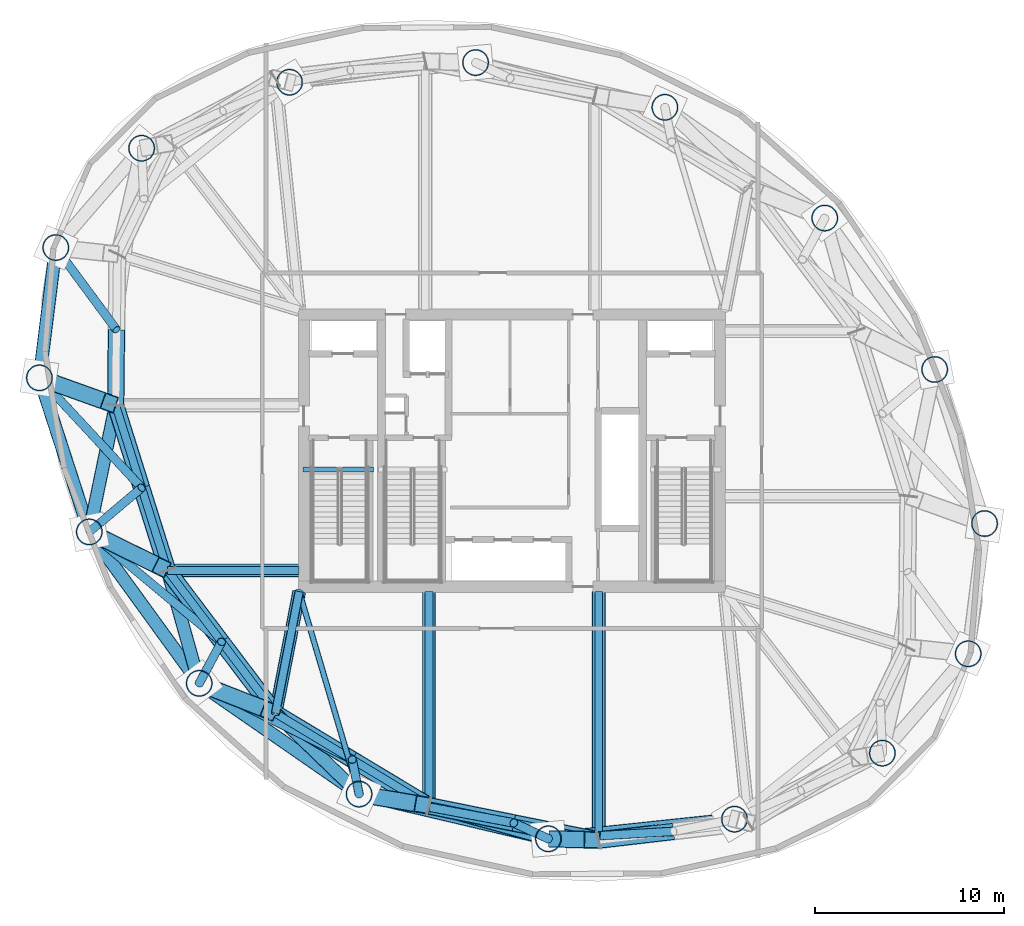
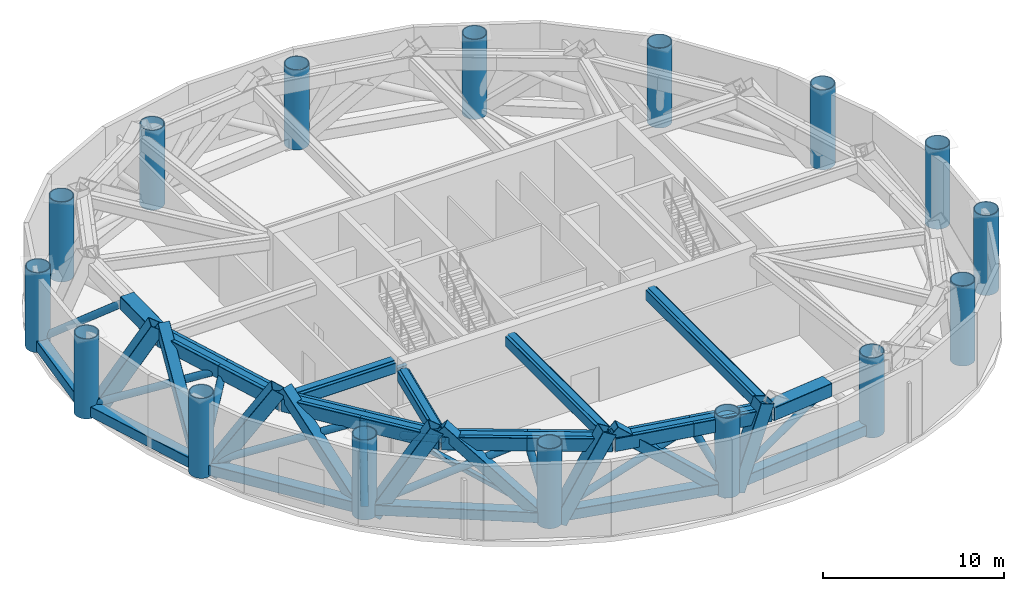
# One storey, part 1 of 10: 41 members, 16 columns, 9 beams.
"""IFC4 building model written with IfcOpenShell, lengths in metres."""

from ifc_helpers import new_model, si_unit, direction, frame, origin, origin_2d, place, context, subcontext, project, spatial, hollow_rectangle, hollow_circle, i_section, extrude, material, material_profile, profile_set, type_object, element, save


model = new_model("IFC4")

# Units and contexts
model_context = context("Model", 3, precision=1e-05, world=origin(), true_north=direction((0.0, 1.0)))
body_context = subcontext(model_context, "Body", "Model", "MODEL_VIEW")
ifc_project = project(units=[si_unit("LENGTHUNIT", "METRE"), si_unit("AREAUNIT", "SQUARE_METRE"), si_unit("VOLUMEUNIT", "CUBIC_METRE"), si_unit("PLANEANGLEUNIT", "RADIAN"), si_unit("MASSUNIT", "GRAM", prefix="KILO")], contexts=[model_context])

# Site, building, storey
site_placement = place(None, origin())
site = spatial("IfcSite", under=ifc_project, at=site_placement, CompositionType="ELEMENT")
building_placement = place(site_placement, origin())
building = spatial("IfcBuilding", under=site, at=building_placement, Name="Bramvorn Convention Spire", CompositionType="ELEMENT")
storey_placement = place(building_placement, frame((0.0, 0.0, 165.800048828125)))
storey = spatial("IfcBuildingStorey", under=building, at=storey_placement, Name="L42", CompositionType="ELEMENT", Elevation=165.800048828125)

# Columns
ifc_material = material(Name="Steel CSA G40.21 Grade 350 (350W)", Category="steel")
ifc_material_profile_1 = material_profile(ifc_material, hollow_circle(Radius=0.699951171875, WallThickness=0.054931640625, at=origin_2d()))
ifc_profile_set_1 = profile_set([ifc_material_profile_1], Name="Steel CSA G40.21 Grade 350 (350W) - CFT1400X55")
column_type = type_object("IfcColumnType", Name="COL-CFT1400X55", PredefinedType="COLUMN", material=ifc_profile_set_1)
for number, where, z_axis, x_axis, name in (
    (1, (62.11767578125, 15.26220703125, 0.0), (0.0, 0.0, 1.0), (1.0, 0.0, 0.0), "L42 composite CFT mega-column MC01"),
    (2, (62.983642578125, 22.148193359375, 0.0), (0.0, 0.0, 1.0), (1.0, 0.0, 0.0), "L42 composite CFT mega-column MC02"),
    (3, (60.345703125, 30.293212890625, 0.0), (0.0, 0.0, 1.0), (1.0, 0.0, 0.0), "L42 composite CFT mega-column MC03"),
    (4, (54.534912109375, 38.299072265625, 0.0), (0.0, 0.0, 1.0), (1.0, 0.0, 0.0), "L42 composite CFT mega-column MC04"),
    (5, (46.082763671875, 44.154052734375, 0.0), (0.0, 0.0, 1.0), (1.0, 0.0, 0.0), "L42 composite CFT mega-column MC05"),
    (6, (36.075927734375, 46.517333984375, 0.0), (0.0, 0.0, 1.0), (1.0, 0.0, 0.0), "L42 composite CFT mega-column MC06"),
    (7, (26.23828125, 45.478759765625, 0.0), (0.0, 0.0, 1.0), (1.0, 0.0, 0.0), "L42 composite CFT mega-column MC07"),
    (8, (18.420166015625, 41.9892578125, 0.0), (0.0, 0.0, 1.0), (1.0, 0.0, 0.0), "L42 composite CFT mega-column MC08"),
    (9, (13.88232421875, 36.73779296875, 0.0), (0.0, 0.0, 1.0), (1.0, 0.0, 0.0), "L42 composite CFT mega-column MC09"),
    (10, (13.016357421875, 29.851806640625, 0.0), (0.0, 0.0, 1.0), (1.0, 0.0, 0.0), "L42 composite CFT mega-column MC10"),
    (11, (15.654296875, 21.706787109375, 0.0), (0.0, 0.0, 1.0), (1.0, 0.0, 0.0), "L42 composite CFT mega-column MC11"),
    (12, (21.465087890625, 13.700927734375, 0.0), (0.0, 0.0, 1.0), (1.0, 0.0, 0.0), "L42 composite CFT mega-column MC12"),
    (13, (29.917236328125, 7.845947265625, 0.0), (0.0, 0.0, 1.0), (1.0, 0.0, 0.0), "L42 composite CFT mega-column MC13"),
    (14, (39.924072265625, 5.482666015625, 0.0), (0.0, 0.0, 1.0), (1.0, 0.0, 0.0), "L42 composite CFT mega-column MC14"),
    (15, (49.76171875, 6.521240234375, 0.0), (0.0, 0.0, 1.0), (1.0, 0.0, 0.0), "L42 composite CFT mega-column MC15"),
    (16, (57.579833984375, 10.0107421875, 0.0), (0.0, 0.0, 1.0), (1.0, 0.0, 0.0), "L42 composite CFT mega-column MC16"),
):
    element("IfcColumn", number, at=place(storey_placement, frame(where, z_axis=z_axis, x_axis=x_axis)), inside=storey, type_object=column_type, Name=name, PredefinedType="COLUMN", context=body_context, shape_type="SweptSolid", body=[
        extrude(hollow_circle(Radius=0.699951171875, WallThickness=0.054931640625, at=origin_2d()), origin(), (0.0, 0.0, 1.0), 5.39990234375),
    ])

# Beams
ifc_material_profile_2 = material_profile(ifc_material, i_section(OverallWidth=0.25390625, OverallDepth=0.2529296875, WebThickness=0.008544921875, FlangeThickness=0.01416015625, FilletRadius=0.011962890625, at=origin_2d()))
ifc_profile_set_2 = profile_set([ifc_material_profile_2], Name="Steel CSA G40.21 Grade 350 (350W) - W250X73")
beam_type_1 = type_object("IfcBeamType", Name="BM-W250X73", PredefinedType="BEAM", material=ifc_profile_set_2)
beam_1_placement = place(storey_placement, frame((26.949951171875, 25.010009765625, -0.12646484375), z_axis=(1.0, 0.0, 0.0), x_axis=(0.0, 1.0, 0.0)))
element("IfcBeam", 17, at=beam_1_placement, inside=storey, type_object=beam_type_1, Name="L42 ST1 stair arrival header beam", PredefinedType="BEAM", context=body_context, shape_type="SweptSolid", body=[
    extrude(i_section(OverallWidth=0.25390625, OverallDepth=0.2529296875, WebThickness=0.008544921875, FlangeThickness=0.01416015625, FilletRadius=0.011962890625, at=origin_2d()), origin(), (0.0, 0.0, 1.0), 3.739990234375),
])
ifc_material_profile_3 = material_profile(ifc_material, i_section(OverallWidth=0.41796875, OverallDepth=0.912109375, WebThickness=0.019287109375, FlangeThickness=0.031982421875, FilletRadius=0.02392578125, at=origin_2d()))
ifc_profile_set_3 = profile_set([ifc_material_profile_3], Name="Steel CSA G40.21 Grade 350 (350W) - W920X342")
beam_type_2 = type_object("IfcBeamType", Name="BM-W920X342", PredefinedType="BEAM", material=ifc_profile_set_3)
beam_2_placement = place(storey_placement, frame((17.04541015625, 28.406494140625, 4.52392578125), z_axis=(0.299747542929, -0.954018558786, 0.0), x_axis=(0.954018558786, 0.299747542929, 0.0)))
element("IfcBeam", 18, at=beam_2_placement, inside=storey, type_object=beam_type_2, Name="L42 step-in transfer ring girder 11", PredefinedType="BEAM", context=body_context, shape_type="SweptSolid", body=[
    extrude(i_section(OverallWidth=0.41796875, OverallDepth=0.912109375, WebThickness=0.019287109375, FlangeThickness=0.031982421875, FilletRadius=0.02392578125, at=origin_2d()), origin(), (0.0, 0.0, 1.0), 9.15478515625),
])
beam_3_placement = place(storey_placement, frame((19.78955078125, 19.672607421875, 4.52392578125), z_axis=(0.602718581414, -0.797953827999, 0.0), x_axis=(0.797953827999, 0.602718581414, 0.0)))
element("IfcBeam", 19, at=beam_3_placement, inside=storey, type_object=beam_type_2, Name="L42 step-in transfer ring girder 12", PredefinedType="BEAM", context=body_context, shape_type="SweptSolid", body=[
    extrude(i_section(OverallWidth=0.41796875, OverallDepth=0.912109375, WebThickness=0.019287109375, FlangeThickness=0.031982421875, FilletRadius=0.02392578125, at=origin_2d()), origin(), (0.0, 0.0, 1.0), 9.47119140625),
])
beam_4_placement = place(storey_placement, frame((26.75, 19.672607421875, 4.52392578125), z_axis=(-1.0, 0.0, 0.0), x_axis=(0.0, -1.0, 0.0)))
element("IfcBeam", 20, at=beam_4_placement, inside=storey, type_object=beam_type_2, Name="L42 step-in radial transfer girder MC12", PredefinedType="BEAM", context=body_context, shape_type="SweptSolid", body=[
    extrude(i_section(OverallWidth=0.41796875, OverallDepth=0.912109375, WebThickness=0.019287109375, FlangeThickness=0.031982421875, FilletRadius=0.02392578125, at=origin_2d()), origin(), (0.0, 0.0, 1.0), 6.96044921875),
])
beam_5_placement = place(storey_placement, frame((25.498046875, 12.114990234375, 4.52392578125), z_axis=(0.856581795745, -0.516011266543, 0.0), x_axis=(0.516011266543, 0.856581795745, 0.0)))
element("IfcBeam", 21, at=beam_5_placement, inside=storey, type_object=beam_type_2, Name="L42 step-in transfer ring girder 13", PredefinedType="BEAM", context=body_context, shape_type="SweptSolid", body=[
    extrude(i_section(OverallWidth=0.41796875, OverallDepth=0.912109375, WebThickness=0.019287109375, FlangeThickness=0.031982421875, FilletRadius=0.02392578125, at=origin_2d()), origin(), (0.0, 0.0, 1.0), 9.47119140625),
])
beam_6_placement = place(storey_placement, frame((26.75, 18.550048828125, 4.52392578125), z_axis=(-0.190971329886, -0.981595614885, 0.0), x_axis=(0.981595614885, -0.190971329886, 0.0)))
element("IfcBeam", 22, at=beam_6_placement, inside=storey, type_object=beam_type_2, Name="L42 step-in radial transfer girder MC13", PredefinedType="BEAM", context=body_context, shape_type="SweptSolid", body=[
    extrude(i_section(OverallWidth=0.41796875, OverallDepth=0.912109375, WebThickness=0.019287109375, FlangeThickness=0.031982421875, FilletRadius=0.02392578125, at=origin_2d()), origin(), (0.0, 0.0, 1.0), 6.5556640625),
])
beam_7_placement = place(storey_placement, frame((33.61083984375, 7.227783203125, 4.52392578125), z_axis=(0.980124701676, -0.198382381187, 0.0), x_axis=(0.198382381187, 0.980124701676, 0.0)))
element("IfcBeam", 23, at=beam_7_placement, inside=storey, type_object=beam_type_2, Name="L42 step-in transfer ring girder 14", PredefinedType="BEAM", context=body_context, shape_type="SweptSolid", body=[
    extrude(i_section(OverallWidth=0.41796875, OverallDepth=0.912109375, WebThickness=0.019287109375, FlangeThickness=0.031982421875, FilletRadius=0.02392578125, at=origin_2d()), origin(), (0.0, 0.0, 1.0), 9.15478515625),
])
beam_8_placement = place(storey_placement, frame((33.61083984375, 18.550048828125, 4.52392578125), z_axis=(0.0, -1.0, 0.0), x_axis=(1.0, 0.0, 0.0)))
element("IfcBeam", 24, at=beam_8_placement, inside=storey, type_object=beam_type_2, Name="L42 step-in radial transfer girder MC14", PredefinedType="BEAM", context=body_context, shape_type="SweptSolid", body=[
    extrude(i_section(OverallWidth=0.41796875, OverallDepth=0.912109375, WebThickness=0.019287109375, FlangeThickness=0.031982421875, FilletRadius=0.02392578125, at=origin_2d()), origin(), (0.0, 0.0, 1.0), 11.322265625),
])
beam_9_placement = place(storey_placement, frame((42.583740234375, 18.550048828125, 4.52392578125), z_axis=(0.0, -1.0, 0.0), x_axis=(1.0, 0.0, 0.0)))
element("IfcBeam", 25, at=beam_9_placement, inside=storey, type_object=beam_type_2, Name="L42 step-in radial transfer girder MC15", PredefinedType="BEAM", context=body_context, shape_type="SweptSolid", body=[
    extrude(i_section(OverallWidth=0.41796875, OverallDepth=0.912109375, WebThickness=0.019287109375, FlangeThickness=0.031982421875, FilletRadius=0.02392578125, at=origin_2d()), origin(), (0.0, 0.0, 1.0), 13.138427734375),
])

# Members
ifc_material_profile_4 = material_profile(ifc_material, hollow_rectangle(XDim=0.699951171875, YDim=0.699951171875, WallThickness=0.034912109375, InnerFilletRadius=0.0009765625, OuterFilletRadius=0.034912109375, at=origin_2d()))
ifc_profile_set_4 = profile_set([ifc_material_profile_4], Name="Steel CSA G40.21 Grade 350 (350W) - BOX700X700X35")
member_type_1 = type_object("IfcMemberType", Name="MBR-BOX700X700X35", PredefinedType="CHORD", material=ifc_profile_set_4)
member_1_placement = place(storey_placement, frame((13.88232421875, 36.73779296875, 0.449951171875), z_axis=(-0.124775053879, -0.992185056292, 0.0), x_axis=(0.992185056292, -0.124775053879, 0.0)))
element("IfcMember", 26, at=member_1_placement, inside=storey, type_object=member_type_1, Name="L42 belt truss bottom chord 9", PredefinedType="CHORD", context=body_context, shape_type="SweptSolid", body=[
    extrude(hollow_rectangle(XDim=0.699951171875, YDim=0.699951171875, WallThickness=0.034912109375, InnerFilletRadius=0.0009765625, OuterFilletRadius=0.034912109375, at=origin_2d()), origin(), (0.0, 0.0, 1.0), 6.940185546875),
])
member_2_placement = place(storey_placement, frame((13.016357421875, 29.851806640625, 0.449951171875), z_axis=(0.308114853612, -0.951349166701, 0.0), x_axis=(0.951349166701, 0.308114853612, 0.0)))
element("IfcMember", 27, at=member_2_placement, inside=storey, type_object=member_type_1, Name="L42 belt truss bottom chord 10", PredefinedType="CHORD", context=body_context, shape_type="SweptSolid", body=[
    extrude(hollow_rectangle(XDim=0.699951171875, YDim=0.699951171875, WallThickness=0.034912109375, InnerFilletRadius=0.0009765625, OuterFilletRadius=0.034912109375, at=origin_2d()), origin(), (0.0, 0.0, 1.0), 8.5615234375),
])
member_3_placement = place(storey_placement, frame((15.654296875, 21.706787109375, 0.449951171875), z_axis=(0.587401024629, -0.809296012757, 0.0), x_axis=(0.809296012757, 0.587401024629, 0.0)))
element("IfcMember", 28, at=member_3_placement, inside=storey, type_object=member_type_1, Name="L42 belt truss bottom chord 11", PredefinedType="CHORD", context=body_context, shape_type="SweptSolid", body=[
    extrude(hollow_rectangle(XDim=0.699951171875, YDim=0.699951171875, WallThickness=0.034912109375, InnerFilletRadius=0.0009765625, OuterFilletRadius=0.034912109375, at=origin_2d()), origin(), (0.0, 0.0, 1.0), 9.892333984375),
])
member_4_placement = place(storey_placement, frame((15.654296875, 21.706787109375, 0.0), z_axis=(0.159592410944, 0.768609150779, 0.619491917387), x_axis=(-0.979116152328, 0.203301648421, 0.0)))
element("IfcMember", 29, at=member_4_placement, inside=storey, type_object=member_type_1, Name="L42 step-in secondary transfer strut MC11", PredefinedType="CHORD", context=body_context, shape_type="SweptSolid", body=[
    extrude(hollow_rectangle(XDim=0.699951171875, YDim=0.699951171875, WallThickness=0.034912109375, InnerFilletRadius=0.0009765625, OuterFilletRadius=0.034912109375, at=origin_2d()), origin(), (0.0, 0.0, 1.0), 8.716552734375),
])
member_5_placement = place(storey_placement, frame((21.465087890625, 13.700927734375, 0.449951171875), z_axis=(0.822033166673, -0.569439613032, 0.0), x_axis=(0.569439613032, 0.822033166673, 0.0)))
element("IfcMember", 30, at=member_5_placement, inside=storey, type_object=member_type_1, Name="L42 belt truss bottom chord 12", PredefinedType="CHORD", context=body_context, shape_type="SweptSolid", body=[
    extrude(hollow_rectangle(XDim=0.699951171875, YDim=0.699951171875, WallThickness=0.034912109375, InnerFilletRadius=0.0009765625, OuterFilletRadius=0.034912109375, at=origin_2d()), origin(), (0.0, 0.0, 1.0), 10.281982421875),
])
member_6_placement = place(storey_placement, frame((21.465087890625, 13.700927734375, 0.0), z_axis=(-0.203747803707, 0.726165128759, 0.656636153634), x_axis=(-0.962818751094, -0.270148204773, 0.0)))
element("IfcMember", 31, at=member_6_placement, inside=storey, type_object=member_type_1, Name="L42 step-in secondary transfer strut MC12", PredefinedType="CHORD", context=body_context, shape_type="SweptSolid", body=[
    extrude(hollow_rectangle(XDim=0.699951171875, YDim=0.699951171875, WallThickness=0.034912109375, InnerFilletRadius=0.0009765625, OuterFilletRadius=0.034912109375, at=origin_2d()), origin(), (0.0, 0.0, 1.0), 8.2236328125),
])
member_7_placement = place(storey_placement, frame((26.75, 19.672607421875, 4.530029296875), z_axis=(-1.0, 0.0, 0.0), x_axis=(0.0, -1.0, 0.0)))
element("IfcMember", 32, at=member_7_placement, inside=storey, type_object=member_type_1, Name="L42 outrigger top tie MC12", PredefinedType="CHORD", context=body_context, shape_type="SweptSolid", body=[
    extrude(hollow_rectangle(XDim=0.699951171875, YDim=0.699951171875, WallThickness=0.034912109375, InnerFilletRadius=0.0009765625, OuterFilletRadius=0.034912109375, at=origin_2d()), origin(), (0.0, 0.0, 1.0), 6.96044921875),
])
member_8_placement = place(storey_placement, frame((29.917236328125, 7.845947265625, 0.449951171875), z_axis=(0.97322750491, -0.229843911572, 0.0), x_axis=(0.229843911572, 0.97322750491, 0.0)))
element("IfcMember", 33, at=member_8_placement, inside=storey, type_object=member_type_1, Name="L42 belt truss bottom chord 13", PredefinedType="CHORD", context=body_context, shape_type="SweptSolid", body=[
    extrude(hollow_rectangle(XDim=0.699951171875, YDim=0.699951171875, WallThickness=0.034912109375, InnerFilletRadius=0.0009765625, OuterFilletRadius=0.034912109375, at=origin_2d()), origin(), (0.0, 0.0, 1.0), 10.2822265625),
])
member_9_placement = place(storey_placement, frame((29.917236328125, 7.845947265625, 0.0), z_axis=(-0.540241156195, 0.521885910018, 0.66013225196), x_axis=(-0.694783108655, -0.719219321158, 0.0)))
element("IfcMember", 34, at=member_9_placement, inside=storey, type_object=member_type_1, Name="L42 step-in secondary transfer strut MC13", PredefinedType="CHORD", context=body_context, shape_type="SweptSolid", body=[
    extrude(hollow_rectangle(XDim=0.699951171875, YDim=0.699951171875, WallThickness=0.034912109375, InnerFilletRadius=0.0009765625, OuterFilletRadius=0.034912109375, at=origin_2d()), origin(), (0.0, 0.0, 1.0), 8.179931640625),
])
member_10_placement = place(storey_placement, frame((26.75, 18.550048828125, 4.530029296875), z_axis=(-0.190971329886, -0.981595614885, 0.0), x_axis=(0.981595614885, -0.190971329886, 0.0)))
element("IfcMember", 35, at=member_10_placement, inside=storey, type_object=member_type_1, Name="L42 outrigger top tie MC13", PredefinedType="CHORD", context=body_context, shape_type="SweptSolid", body=[
    extrude(hollow_rectangle(XDim=0.699951171875, YDim=0.699951171875, WallThickness=0.034912109375, InnerFilletRadius=0.0009765625, OuterFilletRadius=0.034912109375, at=origin_2d()), origin(), (0.0, 0.0, 1.0), 6.5556640625),
])
member_11_placement = place(storey_placement, frame((39.924072265625, 5.482666015625, 0.449951171875), z_axis=(0.994473491975, 0.104987969596, 0.0), x_axis=(-0.104987969596, 0.994473491975, 0.0)))
element("IfcMember", 36, at=member_11_placement, inside=storey, type_object=member_type_1, Name="L42 belt truss bottom chord 14", PredefinedType="CHORD", context=body_context, shape_type="SweptSolid", body=[
    extrude(hollow_rectangle(XDim=0.699951171875, YDim=0.699951171875, WallThickness=0.034912109375, InnerFilletRadius=0.0009765625, OuterFilletRadius=0.034912109375, at=origin_2d()), origin(), (0.0, 0.0, 1.0), 9.892333984375),
])
member_12_placement = place(storey_placement, frame((39.924072265625, 5.482666015625, 0.0), z_axis=(-0.743705140438, 0.205576563048, 0.636113936974), x_axis=(-0.266430609193, -0.963854102282, 0.0)))
element("IfcMember", 37, at=member_12_placement, inside=storey, type_object=member_type_1, Name="L42 step-in secondary transfer strut MC14", PredefinedType="CHORD", context=body_context, shape_type="SweptSolid", body=[
    extrude(hollow_rectangle(XDim=0.699951171875, YDim=0.699951171875, WallThickness=0.034912109375, InnerFilletRadius=0.0009765625, OuterFilletRadius=0.034912109375, at=origin_2d()), origin(), (0.0, 0.0, 1.0), 8.489013671875),
])
member_13_placement = place(storey_placement, frame((33.61083984375, 18.550048828125, 4.530029296875), z_axis=(0.0, -1.0, 0.0), x_axis=(1.0, 0.0, 0.0)))
element("IfcMember", 38, at=member_13_placement, inside=storey, type_object=member_type_1, Name="L42 outrigger top tie MC14", PredefinedType="CHORD", context=body_context, shape_type="SweptSolid", body=[
    extrude(hollow_rectangle(XDim=0.699951171875, YDim=0.699951171875, WallThickness=0.034912109375, InnerFilletRadius=0.0009765625, OuterFilletRadius=0.034912109375, at=origin_2d()), origin(), (0.0, 0.0, 1.0), 11.322265625),
])
member_14_placement = place(storey_placement, frame((42.583740234375, 18.550048828125, 4.530029296875), z_axis=(0.0, -1.0, 0.0), x_axis=(1.0, 0.0, 0.0)))
element("IfcMember", 39, at=member_14_placement, inside=storey, type_object=member_type_1, Name="L42 outrigger top tie MC15", PredefinedType="CHORD", context=body_context, shape_type="SweptSolid", body=[
    extrude(hollow_rectangle(XDim=0.699951171875, YDim=0.699951171875, WallThickness=0.034912109375, InnerFilletRadius=0.0009765625, OuterFilletRadius=0.034912109375, at=origin_2d()), origin(), (0.0, 0.0, 1.0), 13.138427734375),
])
ifc_material_profile_5 = material_profile(ifc_material, hollow_rectangle(XDim=0.89990234375, YDim=0.89990234375, WallThickness=0.044921875, InnerFilletRadius=0.0009765625, OuterFilletRadius=0.044921875, at=origin_2d()))
ifc_profile_set_5 = profile_set([ifc_material_profile_5], Name="Steel CSA G40.21 Grade 350 (350W) - BOX900X900X45")
member_type_2 = type_object("IfcMemberType", Name="MBR-BOX900X900X45", PredefinedType="CHORD", material=ifc_profile_set_5)
member_15_placement = place(storey_placement, frame((17.091064453125, 32.3935546875, 4.530029296875), z_axis=(-0.011449864785, -0.99993444815, 0.0), x_axis=(0.99993444815, -0.011449864785, 0.0)))
element("IfcMember", 40, at=member_15_placement, inside=storey, type_object=member_type_2, Name="L42 belt truss top chord 10B", PredefinedType="CHORD", context=body_context, shape_type="SweptSolid", body=[
    extrude(hollow_rectangle(XDim=0.89990234375, YDim=0.89990234375, WallThickness=0.044921875, InnerFilletRadius=0.0009765625, OuterFilletRadius=0.044921875, at=origin_2d()), origin(), (0.0, 0.0, 1.0), 3.9873046875),
])
for number, where, z_axis, x_axis, name in (
    (41, (17.04541015625, 28.406494140625, 4.530029296875), (0.299747542929, -0.954018558786, 0.0), (0.954018558786, 0.299747542929, 0.0), "L42 belt truss top chord 11A"),
    (42, (18.41748046875, 24.03955078125, 4.530029296875), (0.299747542929, -0.954018558786, 0.0), (0.954018558786, 0.299747542929, 0.0), "L42 belt truss top chord 11B"),
):
    element("IfcMember", number, at=place(storey_placement, frame(where, z_axis=z_axis, x_axis=x_axis)), inside=storey, type_object=member_type_2, Name=name, PredefinedType="CHORD", context=body_context, shape_type="SweptSolid", body=[
        extrude(hollow_rectangle(XDim=0.89990234375, YDim=0.89990234375, WallThickness=0.044921875, InnerFilletRadius=0.0009765625, OuterFilletRadius=0.044921875, at=origin_2d()), origin(), (0.0, 0.0, 1.0), 4.577392578125),
    ])
member_16_placement = place(storey_placement, frame((13.43994140625, 29.69970703125, 0.0), z_axis=(0.509926997723, -0.182871419962, 0.840554876706), x_axis=(0.337571545057, 0.941299873562, 0.0)))
element("IfcMember", 43, at=member_16_placement, inside=storey, type_object=member_type_2, Name="L42 step-in mega-column transfer strut MC11", PredefinedType="CHORD", context=body_context, shape_type="SweptSolid", body=[
    extrude(hollow_rectangle(XDim=0.89990234375, YDim=0.89990234375, WallThickness=0.044921875, InnerFilletRadius=0.0009765625, OuterFilletRadius=0.044921875, at=origin_2d()), origin(), (0.0, 0.0, 1.0), 6.42431640625),
])
for number, where, z_axis, x_axis, name in (
    (44, (19.78955078125, 19.672607421875, 4.530029296875), (0.602718581414, -0.797953827999, 0.0), (0.797953827999, 0.602718581414, 0.0), "L42 belt truss top chord 12A"),
    (45, (22.643798828125, 15.893798828125, 4.530029296875), (0.602718581414, -0.797953827999, 0.0), (0.797953827999, 0.602718581414, 0.0), "L42 belt truss top chord 12B"),
):
    element("IfcMember", number, at=place(storey_placement, frame(where, z_axis=z_axis, x_axis=x_axis)), inside=storey, type_object=member_type_2, Name=name, PredefinedType="CHORD", context=body_context, shape_type="SweptSolid", body=[
        extrude(hollow_rectangle(XDim=0.89990234375, YDim=0.89990234375, WallThickness=0.044921875, InnerFilletRadius=0.0009765625, OuterFilletRadius=0.044921875, at=origin_2d()), origin(), (0.0, 0.0, 1.0), 4.735595703125),
    ])
member_17_placement = place(storey_placement, frame((16.05810546875, 21.50830078125, 0.0), z_axis=(0.517180731598, -0.254415382039, 0.817188414165), x_axis=(0.441409349505, 0.897305848732, 0.0)))
element("IfcMember", 46, at=member_17_placement, inside=storey, type_object=member_type_2, Name="L42 step-in mega-column transfer strut MC12", PredefinedType="CHORD", context=body_context, shape_type="SweptSolid", body=[
    extrude(hollow_rectangle(XDim=0.89990234375, YDim=0.89990234375, WallThickness=0.044921875, InnerFilletRadius=0.0009765625, OuterFilletRadius=0.044921875, at=origin_2d()), origin(), (0.0, 0.0, 1.0), 6.60791015625),
])
for number, where, z_axis, x_axis, name in (
    (47, (25.498046875, 12.114990234375, 4.530029296875), (0.856581795745, -0.516011266543, 0.0), (0.516011266543, 0.856581795745, 0.0), "L42 belt truss top chord 13A"),
    (48, (29.554443359375, 9.67138671875, 4.530029296875), (0.856581795745, -0.516011266543, 0.0), (0.516011266543, 0.856581795745, 0.0), "L42 belt truss top chord 13B"),
):
    element("IfcMember", number, at=place(storey_placement, frame(where, z_axis=z_axis, x_axis=x_axis)), inside=storey, type_object=member_type_2, Name=name, PredefinedType="CHORD", context=body_context, shape_type="SweptSolid", body=[
        extrude(hollow_rectangle(XDim=0.89990234375, YDim=0.89990234375, WallThickness=0.044921875, InnerFilletRadius=0.0009765625, OuterFilletRadius=0.044921875, at=origin_2d()), origin(), (0.0, 0.0, 1.0), 4.735595703125),
    ])
member_18_placement = place(storey_placement, frame((21.884033203125, 13.536376953125, 0.0), z_axis=(0.509561713694, -0.200397089423, 0.836772290703), x_axis=(0.365987967187, 0.930619582791, 0.0)))
element("IfcMember", 49, at=member_18_placement, inside=storey, type_object=member_type_2, Name="L42 step-in mega-column transfer strut MC13", PredefinedType="CHORD", context=body_context, shape_type="SweptSolid", body=[
    extrude(hollow_rectangle(XDim=0.89990234375, YDim=0.89990234375, WallThickness=0.044921875, InnerFilletRadius=0.0009765625, OuterFilletRadius=0.044921875, at=origin_2d()), origin(), (0.0, 0.0, 1.0), 6.453369140625),
])
member_19_placement = place(storey_placement, frame((33.61083984375, 7.227783203125, 4.530029296875), z_axis=(0.98013093588, -0.198351578089, 0.0), x_axis=(0.198351578089, 0.98013093588, 0.0)))
element("IfcMember", 50, at=member_19_placement, inside=storey, type_object=member_type_2, Name="L42 belt truss top chord 14A", PredefinedType="CHORD", context=body_context, shape_type="SweptSolid", body=[
    extrude(hollow_rectangle(XDim=0.89990234375, YDim=0.89990234375, WallThickness=0.044921875, InnerFilletRadius=0.0009765625, OuterFilletRadius=0.044921875, at=origin_2d()), origin(), (0.0, 0.0, 1.0), 4.57763671875),
])
member_20_placement = place(storey_placement, frame((38.097412109375, 6.31982421875, 4.530029296875), z_axis=(0.980118466243, -0.198413185373, 0.0), x_axis=(0.198413185373, 0.980118466243, 0.0)))
element("IfcMember", 51, at=member_20_placement, inside=storey, type_object=member_type_2, Name="L42 belt truss top chord 14B", PredefinedType="CHORD", context=body_context, shape_type="SweptSolid", body=[
    extrude(hollow_rectangle(XDim=0.89990234375, YDim=0.89990234375, WallThickness=0.044921875, InnerFilletRadius=0.0009765625, OuterFilletRadius=0.044921875, at=origin_2d()), origin(), (0.0, 0.0, 1.0), 4.577392578125),
])
member_21_placement = place(storey_placement, frame((30.361083984375, 7.771728515625, 0.0), z_axis=(0.472226402777, -0.079028559127, 0.877927509173), x_axis=(0.165057684669, 0.98628391487, 0.0)))
element("IfcMember", 52, at=member_21_placement, inside=storey, type_object=member_type_2, Name="L42 step-in mega-column transfer strut MC14", PredefinedType="CHORD", context=body_context, shape_type="SweptSolid", body=[
    extrude(hollow_rectangle(XDim=0.89990234375, YDim=0.89990234375, WallThickness=0.044921875, InnerFilletRadius=0.0009765625, OuterFilletRadius=0.044921875, at=origin_2d()), origin(), (0.0, 0.0, 1.0), 6.150634765625),
])
member_22_placement = place(storey_placement, frame((42.583740234375, 5.41162109375, 4.530029296875), z_axis=(0.993253033993, 0.115967281863, 0.0), x_axis=(-0.115967281863, 0.993253033993, 0.0)))
element("IfcMember", 53, at=member_22_placement, inside=storey, type_object=member_type_2, Name="L42 belt truss top chord 15A", PredefinedType="CHORD", context=body_context, shape_type="SweptSolid", body=[
    extrude(hollow_rectangle(XDim=0.89990234375, YDim=0.89990234375, WallThickness=0.044921875, InnerFilletRadius=0.0009765625, OuterFilletRadius=0.044921875, at=origin_2d()), origin(), (0.0, 0.0, 1.0), 3.9873046875),
])
member_23_placement = place(storey_placement, frame((40.373779296875, 5.470703125, 0.0), z_axis=(0.32567660223, -0.008720045525, 0.945441014324), x_axis=(0.026765574815, 0.999641737827, 0.0)))
element("IfcMember", 54, at=member_23_placement, inside=storey, type_object=member_type_2, Name="L42 step-in mega-column transfer strut MC15", PredefinedType="CHORD", context=body_context, shape_type="SweptSolid", body=[
    extrude(hollow_rectangle(XDim=0.89990234375, YDim=0.89990234375, WallThickness=0.044921875, InnerFilletRadius=0.0009765625, OuterFilletRadius=0.044921875, at=origin_2d()), origin(), (0.0, 0.0, 1.0), 5.71142578125),
])
ifc_material_profile_6 = material_profile(ifc_material, hollow_circle(Radius=0.228515625, WallThickness=0.01904296875, at=origin_2d()))
ifc_profile_set_6 = profile_set([ifc_material_profile_6], Name="Steel CSA G40.21 Grade 350 (350W) - CHS457X19")
member_type_3 = type_object("IfcMemberType", Name="MBR-CHS457X19", PredefinedType="BRACE", material=ifc_profile_set_6)
member_24_placement = place(storey_placement, frame((13.88232421875, 36.73779296875, 0.449951171875), z_axis=(0.474054796813, -0.641811690976, 0.602785038754), x_axis=(0.804372445147, 0.594125381959, 0.0)))
element("IfcMember", 55, at=member_24_placement, inside=storey, type_object=member_type_3, Name="L42 ring belt diagonal 10A", PredefinedType="BRACE", context=body_context, shape_type="SweptSolid", body=[
    extrude(hollow_circle(Radius=0.228515625, WallThickness=0.01904296875, at=origin_2d()), origin(), (0.0, 0.0, 1.0), 6.768798828125),
])
member_25_placement = place(storey_placement, frame((13.016357421875, 29.851806640625, 0.449951171875), z_axis=(0.605373609027, -0.651454572621, 0.457307044888), x_axis=(0.73254028428, 0.680723682493, 0.0)))
element("IfcMember", 56, at=member_25_placement, inside=storey, type_object=member_type_3, Name="L42 ring belt diagonal 11A", PredefinedType="BRACE", context=body_context, shape_type="SweptSolid", body=[
    extrude(hollow_circle(Radius=0.228515625, WallThickness=0.01904296875, at=origin_2d()), origin(), (0.0, 0.0, 1.0), 8.921875),
])
member_26_placement = place(storey_placement, frame((15.654296875, 21.706787109375, 0.449951171875), z_axis=(0.506822703337, 0.42787514847, 0.748367292647), x_axis=(-0.645085352841, 0.764110520508, 0.0)))
element("IfcMember", 57, at=member_26_placement, inside=storey, type_object=member_type_3, Name="L42 ring belt diagonal 11B", PredefinedType="BRACE", context=body_context, shape_type="SweptSolid", body=[
    extrude(hollow_circle(Radius=0.228515625, WallThickness=0.01904296875, at=origin_2d()), origin(), (0.0, 0.0, 1.0), 5.451904296875),
])
member_27_placement = place(storey_placement, frame((15.654296875, 21.706787109375, 0.449951171875), z_axis=(0.701441200063, -0.583370532449, 0.40946192097), x_axis=(0.639431255636, 0.768848274574, 0.0)))
element("IfcMember", 58, at=member_27_placement, inside=storey, type_object=member_type_3, Name="L42 ring belt diagonal 12A", PredefinedType="BRACE", context=body_context, shape_type="SweptSolid", body=[
    extrude(hollow_circle(Radius=0.228515625, WallThickness=0.01904296875, at=origin_2d()), origin(), (0.0, 0.0, 1.0), 9.964599609375),
])
member_28_placement = place(storey_placement, frame((21.465087890625, 13.700927734375, 0.449951171875), z_axis=(0.246610160592, 0.458792970678, 0.853634839231), x_axis=(-0.880817240295, 0.473456427983, 0.0)))
element("IfcMember", 59, at=member_28_placement, inside=storey, type_object=member_type_3, Name="L42 ring belt diagonal 12B", PredefinedType="BRACE", context=body_context, shape_type="SweptSolid", body=[
    extrude(hollow_circle(Radius=0.228515625, WallThickness=0.01904296875, at=origin_2d()), origin(), (0.0, 0.0, 1.0), 4.779541015625),
])
member_29_placement = place(storey_placement, frame((21.465087890625, 13.700927734375, 0.449951171875), z_axis=(0.815809514839, -0.406378223046, 0.411474878131), x_axis=(0.445873177917, 0.895096145235, 0.0)))
element("IfcMember", 60, at=member_29_placement, inside=storey, type_object=member_type_3, Name="L42 ring belt diagonal 13A", PredefinedType="BRACE", context=body_context, shape_type="SweptSolid", body=[
    extrude(hollow_circle(Radius=0.228515625, WallThickness=0.01904296875, at=origin_2d()), origin(), (0.0, 0.0, 1.0), 9.915771484375),
])
member_30_placement = place(storey_placement, frame((29.917236328125, 7.845947265625, 0.449951171875), z_axis=(-0.080899020883, 0.407053821763, 0.909814560561), x_axis=(-0.980817088156, -0.194930345459, 0.0)))
element("IfcMember", 61, at=member_30_placement, inside=storey, type_object=member_type_3, Name="L42 ring belt diagonal 13B", PredefinedType="BRACE", context=body_context, shape_type="SweptSolid", body=[
    extrude(hollow_circle(Radius=0.228515625, WallThickness=0.01904296875, at=origin_2d()), origin(), (0.0, 0.0, 1.0), 4.484619140625),
])
member_31_placement = place(storey_placement, frame((26.75, 18.550048828125, 0.449951171875), z_axis=(-0.162134727458, -0.833375028535, 0.528392270919), x_axis=(0.981595614885, -0.190971329886, 0.0)))
element("IfcMember", 62, at=member_31_placement, inside=storey, type_object=member_type_3, Name="L42 outrigger web diagonal MC13", PredefinedType="BRACE", context=body_context, shape_type="SweptSolid", body=[
    extrude(hollow_circle(Radius=0.228515625, WallThickness=0.01904296875, at=origin_2d()), origin(), (0.0, 0.0, 1.0), 7.7216796875),
])
member_32_placement = place(storey_placement, frame((29.917236328125, 7.845947265625, 0.449951171875), z_axis=(0.882648696492, -0.164670118838, 0.440244285077), x_axis=(0.183399205726, 0.983038519764, 0.0)))
element("IfcMember", 63, at=member_32_placement, inside=storey, type_object=member_type_3, Name="L42 ring belt diagonal 14A", PredefinedType="BRACE", context=body_context, shape_type="SweptSolid", body=[
    extrude(hollow_circle(Radius=0.228515625, WallThickness=0.01904296875, at=origin_2d()), origin(), (0.0, 0.0, 1.0), 9.267822265625),
])
member_33_placement = place(storey_placement, frame((39.924072265625, 5.482666015625, 0.449951171875), z_axis=(-0.401637843086, 0.184070591278, 0.897109280092), x_axis=(-0.416629608101, -0.909076327738, 0.0)))
element("IfcMember", 64, at=member_33_placement, inside=storey, type_object=member_type_3, Name="L42 ring belt diagonal 14B", PredefinedType="BRACE", context=body_context, shape_type="SweptSolid", body=[
    extrude(hollow_circle(Radius=0.228515625, WallThickness=0.01904296875, at=origin_2d()), origin(), (0.0, 0.0, 1.0), 4.548095703125),
])
member_34_placement = place(storey_placement, frame((39.924072265625, 5.482666015625, 0.449951171875), z_axis=(0.850228548642, 0.050262441491, 0.52400868509), x_axis=(-0.059013360389, 0.99825719296, 0.0)))
element("IfcMember", 65, at=member_34_placement, inside=storey, type_object=member_type_3, Name="L42 ring belt diagonal 15A", PredefinedType="BRACE", context=body_context, shape_type="SweptSolid", body=[
    extrude(hollow_circle(Radius=0.228515625, WallThickness=0.01904296875, at=origin_2d()), origin(), (0.0, 0.0, 1.0), 7.786376953125),
])
ifc_material_profile_7 = material_profile(ifc_material, hollow_rectangle(XDim=0.3046875, YDim=0.3046875, WallThickness=0.015869140625, InnerFilletRadius=0.015869140625, OuterFilletRadius=0.03173828125, at=origin_2d()))
ifc_profile_set_7 = profile_set([ifc_material_profile_7], Name="Steel CSA G40.21 Grade 350 (350W) - HSS305X305X16")
member_type_4 = type_object("IfcMemberType", Name="MBR-HSS305X305X16", PredefinedType="POST", material=ifc_profile_set_7)
member_35_placement = place(storey_placement, frame((26.75, 18.550048828125, 0.449951171875), z_axis=(0.283730130396, -0.958904173057, 0.0), x_axis=(0.958904173057, 0.283730130396, 0.0)))
element("IfcMember", 66, at=member_35_placement, inside=storey, type_object=member_type_4, Name="L42 outrigger bottom chord MC13", PredefinedType="POST", context=body_context, shape_type="SweptSolid", body=[
    extrude(hollow_rectangle(XDim=0.3046875, YDim=0.3046875, WallThickness=0.015869140625, InnerFilletRadius=0.015869140625, OuterFilletRadius=0.03173828125, at=origin_2d()), origin(), (0.0, 0.0, 1.0), 11.162841796875),
])

save(model, "model.ifc")
